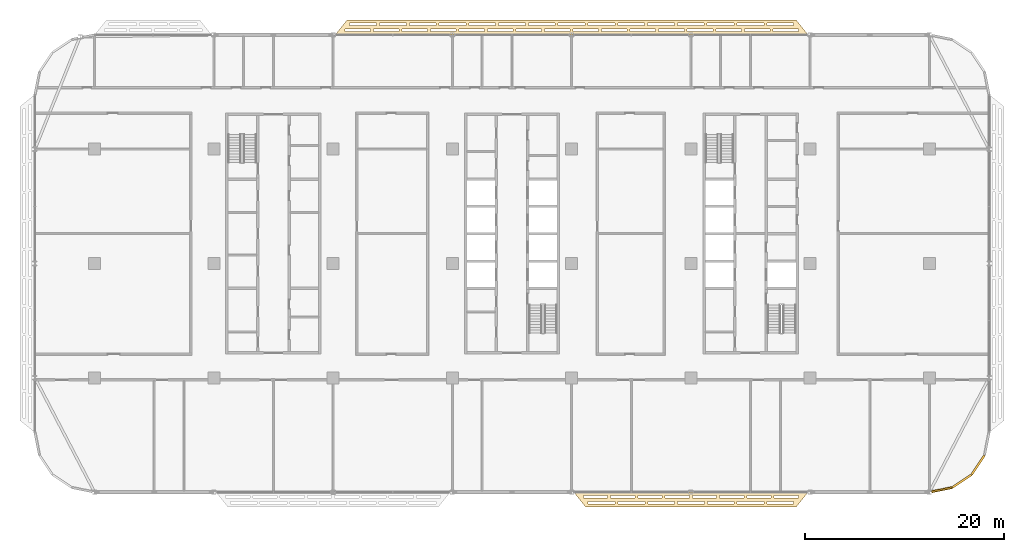
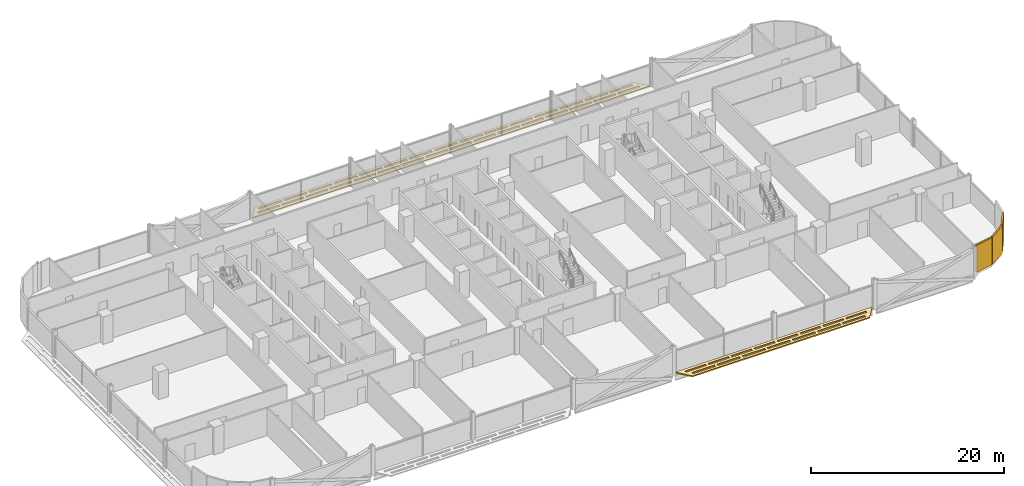
# One storey, part 25 of 27: 5 coverings.
"""IFC4 building model written with IfcOpenShell, lengths in metres."""

from ifc_helpers import new_model, si_unit, direction, frame, origin, origin_2d, place, context, subcontext, project, spatial, polyline, rectangle, outline, extrude, material, layer, layer_set, type_object, element, save


model = new_model("IFC4")

# Units and contexts
model_context = context("Model", 3, precision=1e-05, world=origin(), true_north=direction((0.0, 1.0)))
body_context = subcontext(model_context, "Body", "Model", "MODEL_VIEW")
ifc_project = project(units=[si_unit("LENGTHUNIT", "METRE"), si_unit("AREAUNIT", "SQUARE_METRE"), si_unit("VOLUMEUNIT", "CUBIC_METRE"), si_unit("PLANEANGLEUNIT", "RADIAN"), si_unit("MASSUNIT", "GRAM", prefix="KILO")], contexts=[model_context])

# Site, building, storey
site_placement = place(None, origin())
site = spatial("IfcSite", under=ifc_project, at=site_placement, CompositionType="ELEMENT")
building_placement = place(site_placement, origin())
building = spatial("IfcBuilding", under=site, at=building_placement, Name="Mahtab Terrace Research Tower", CompositionType="ELEMENT")
storey_placement = place(building_placement, frame((0.0, 0.0, 170.60009765625)))
storey = spatial("IfcBuildingStorey", under=building, at=storey_placement, Name="L40", CompositionType="ELEMENT", Elevation=170.60009765625)

# Coverings
ifc_material_1 = material(Name="Black aluminium cladding panel", Category="aluminium")
ifc_layer_1 = layer(ifc_material_1, 0.199951171875)
ifc_layer_set_1 = layer_set([ifc_layer_1], Name="Black metal corner cladding 200")
covering_type_1 = type_object("IfcCoveringType", Name="Black metal corner cladding 200", PredefinedType="CLADDING", material=ifc_layer_set_1)
covering_1_placement = place(storey_placement, frame((43.25830078125, -22.74951171875, 0.0), z_axis=(0.0, 0.0, 1.0), x_axis=(0.980760981187, 0.195212442692, 0.0)))
element("IfcCovering", 1, at=covering_1_placement, inside=storey, type_object=covering_type_1, Name="Corner cladding L40 30", PredefinedType="CLADDING", context=body_context, shape_type="SweptSolid", body=[
    extrude(rectangle(XDim=2.07666015625, YDim=0.199951171875, at=origin_2d()), origin(), (0.0, 0.0, 1.0), 3.4599609375),
])
for number, where, z_axis, x_axis, name in (
    (2, (45.26953125, -21.89306640625, 0.0), (0.0, 0.0, 1.0), (0.831655794326, 0.555291490808, 0.0), "Corner cladding L40 31"),
    (3, (46.89306640625, -20.26953125, 0.0), (0.0, 0.0, 1.0), (0.555291490808, 0.831655794326, 0.0), "Corner cladding L40 32"),
):
    element("IfcCovering", number, at=place(storey_placement, frame(where, z_axis=z_axis, x_axis=x_axis)), inside=storey, type_object=covering_type_1, Name=name, PredefinedType="CLADDING", context=body_context, shape_type="SweptSolid", body=[
        extrude(rectangle(XDim=2.30126953125, YDim=0.199951171875, at=origin_2d()), origin(), (0.0, 0.0, 1.0), 3.4599609375),
    ])
ifc_material_2 = material(Name="Black anodised aluminium", Category="aluminium")
ifc_layer_2 = layer(ifc_material_2, 0.14990234375)
ifc_layer_set_2 = layer_set([ifc_layer_2], Name="Horizontal sunshade band")
covering_type_2 = type_object("IfcCoveringType", Name="Horizontal sunshade band", PredefinedType="CLADDING", material=ifc_layer_set_2)
covering_2_placement = place(storey_placement, frame((0.0, 0.0, -0.150146484375)))
element("IfcCovering", 4, at=covering_2_placement, inside=storey, type_object=covering_type_2, Name="Sunshade band L40 4", PredefinedType="CLADDING", context=body_context, shape_type="SweptSolid", body=[
    extrude(outline(polyline([(29.7919921875, 23.0), (-17.7919921875, 23.0), (-16.592041015625, 24.5), (28.592041015625, 24.5), (29.7919921875, 23.0)]), holes=[polyline([(28.81201171875, 23.35009765625), (26.241943359375, 23.35009765625), (26.241943359375, 23.60009765625), (28.81201171875, 23.60009765625), (28.81201171875, 23.35009765625)]), polyline([(25.94189453125, 23.35009765625), (23.37109375, 23.35009765625), (23.37109375, 23.60009765625), (25.94189453125, 23.60009765625), (25.94189453125, 23.35009765625)]), polyline([(23.072021484375, 23.35009765625), (20.5009765625, 23.35009765625), (20.5009765625, 23.60009765625), (23.072021484375, 23.60009765625), (23.072021484375, 23.35009765625)]), polyline([(20.200927734375, 23.35009765625), (17.631103515625, 23.35009765625), (17.631103515625, 23.60009765625), (20.200927734375, 23.60009765625), (20.200927734375, 23.35009765625)]), polyline([(17.3310546875, 23.35009765625), (14.760986328125, 23.35009765625), (14.760986328125, 23.60009765625), (17.3310546875, 23.60009765625), (17.3310546875, 23.35009765625)]), polyline([(14.4609375, 23.35009765625), (11.889892578125, 23.35009765625), (11.889892578125, 23.60009765625), (14.4609375, 23.60009765625), (14.4609375, 23.35009765625)]), polyline([(11.590087890625, 23.35009765625), (9.02001953125, 23.35009765625), (9.02001953125, 23.60009765625), (11.590087890625, 23.60009765625), (11.590087890625, 23.35009765625)]), polyline([(8.719970703125, 23.35009765625), (6.14990234375, 23.35009765625), (6.14990234375, 23.60009765625), (8.719970703125, 23.60009765625), (8.719970703125, 23.35009765625)]), polyline([(5.85009765625, 23.35009765625), (3.280029296875, 23.35009765625), (3.280029296875, 23.60009765625), (5.85009765625, 23.60009765625), (5.85009765625, 23.35009765625)]), polyline([(2.97998046875, 23.35009765625), (0.408935546875, 23.35009765625), (0.408935546875, 23.60009765625), (2.97998046875, 23.60009765625), (2.97998046875, 23.35009765625)]), polyline([(0.10888671875, 23.35009765625), (-2.4609375, 23.35009765625), (-2.4609375, 23.60009765625), (0.10888671875, 23.60009765625), (0.10888671875, 23.35009765625)]), polyline([(-2.760986328125, 23.35009765625), (-5.3310546875, 23.35009765625), (-5.3310546875, 23.60009765625), (-2.760986328125, 23.60009765625), (-2.760986328125, 23.35009765625)]), polyline([(-5.631103515625, 23.35009765625), (-8.200927734375, 23.35009765625), (-8.200927734375, 23.60009765625), (-5.631103515625, 23.60009765625), (-5.631103515625, 23.35009765625)]), polyline([(-8.5009765625, 23.35009765625), (-11.072021484375, 23.35009765625), (-11.072021484375, 23.60009765625), (-8.5009765625, 23.60009765625), (-8.5009765625, 23.35009765625)]), polyline([(-11.3720703125, 23.35009765625), (-13.94189453125, 23.35009765625), (-13.94189453125, 23.60009765625), (-11.3720703125, 23.60009765625), (-11.3720703125, 23.35009765625)]), polyline([(-14.241943359375, 23.35009765625), (-16.81201171875, 23.35009765625), (-16.81201171875, 23.60009765625), (-14.241943359375, 23.60009765625), (-14.241943359375, 23.35009765625)]), polyline([(28.33203125, 23.949951171875), (25.634033203125, 23.949951171875), (25.634033203125, 24.199951171875), (28.33203125, 24.199951171875), (28.33203125, 23.949951171875)]), polyline([(25.333984375, 23.949951171875), (22.636962890625, 23.949951171875), (22.636962890625, 24.199951171875), (25.333984375, 24.199951171875), (25.333984375, 23.949951171875)]), polyline([(22.3369140625, 23.949951171875), (19.638916015625, 23.949951171875), (19.638916015625, 24.199951171875), (22.3369140625, 24.199951171875), (22.3369140625, 23.949951171875)]), polyline([(19.339111328125, 23.949951171875), (16.64208984375, 23.949951171875), (16.64208984375, 24.199951171875), (19.339111328125, 24.199951171875), (19.339111328125, 23.949951171875)]), polyline([(16.342041015625, 23.949951171875), (13.64404296875, 23.949951171875), (13.64404296875, 24.199951171875), (16.342041015625, 24.199951171875), (16.342041015625, 23.949951171875)]), polyline([(13.343994140625, 23.949951171875), (10.64599609375, 23.949951171875), (10.64599609375, 24.199951171875), (13.343994140625, 24.199951171875), (13.343994140625, 23.949951171875)]), polyline([(10.345947265625, 23.949951171875), (7.64892578125, 23.949951171875), (7.64892578125, 24.199951171875), (10.345947265625, 24.199951171875), (10.345947265625, 23.949951171875)]), polyline([(7.34912109375, 23.949951171875), (4.65087890625, 23.949951171875), (4.65087890625, 24.199951171875), (7.34912109375, 24.199951171875), (7.34912109375, 23.949951171875)]), polyline([(4.35107421875, 23.949951171875), (1.654052734375, 23.949951171875), (1.654052734375, 24.199951171875), (4.35107421875, 24.199951171875), (4.35107421875, 23.949951171875)]), polyline([(1.35400390625, 23.949951171875), (-1.343994140625, 23.949951171875), (-1.343994140625, 24.199951171875), (1.35400390625, 24.199951171875), (1.35400390625, 23.949951171875)]), polyline([(-1.64404296875, 23.949951171875), (-4.342041015625, 23.949951171875), (-4.342041015625, 24.199951171875), (-1.64404296875, 24.199951171875), (-1.64404296875, 23.949951171875)]), polyline([(-4.64208984375, 23.949951171875), (-7.339111328125, 23.949951171875), (-7.339111328125, 24.199951171875), (-4.64208984375, 24.199951171875), (-4.64208984375, 23.949951171875)]), polyline([(-7.638916015625, 23.949951171875), (-10.3369140625, 23.949951171875), (-10.3369140625, 24.199951171875), (-7.638916015625, 24.199951171875), (-7.638916015625, 23.949951171875)]), polyline([(-10.636962890625, 23.949951171875), (-13.333984375, 23.949951171875), (-13.333984375, 24.199951171875), (-10.636962890625, 24.199951171875), (-10.636962890625, 23.949951171875)]), polyline([(-13.634033203125, 23.949951171875), (-16.33203125, 23.949951171875), (-16.33203125, 24.199951171875), (-13.634033203125, 24.199951171875), (-13.634033203125, 23.949951171875)])]), origin(), (0.0, 0.0, 1.0), 0.150146484375),
])
covering_3_placement = place(storey_placement, frame((0.0, 0.0, -0.150146484375)))
element("IfcCovering", 5, at=covering_3_placement, inside=storey, type_object=covering_type_2, Name="Sunshade band L40 27", PredefinedType="CLADDING", context=body_context, shape_type="SweptSolid", body=[
    extrude(outline(polyline([(6.2080078125, -23.0), (29.7919921875, -23.0), (28.592041015625, -24.5), (7.407958984375, -24.5), (6.2080078125, -23.0)]), holes=[polyline([(7.18798828125, -23.35009765625), (9.6279296875, -23.35009765625), (9.6279296875, -23.60009765625), (7.18798828125, -23.60009765625), (7.18798828125, -23.35009765625)]), polyline([(9.927978515625, -23.35009765625), (12.368896484375, -23.35009765625), (12.368896484375, -23.60009765625), (9.927978515625, -23.60009765625), (9.927978515625, -23.35009765625)]), polyline([(12.6689453125, -23.35009765625), (15.10888671875, -23.35009765625), (15.10888671875, -23.60009765625), (12.6689453125, -23.60009765625), (12.6689453125, -23.35009765625)]), polyline([(15.408935546875, -23.35009765625), (17.85009765625, -23.35009765625), (17.85009765625, -23.60009765625), (15.408935546875, -23.60009765625), (15.408935546875, -23.35009765625)]), polyline([(18.14990234375, -23.35009765625), (20.590087890625, -23.35009765625), (20.590087890625, -23.60009765625), (18.14990234375, -23.60009765625), (18.14990234375, -23.35009765625)]), polyline([(20.889892578125, -23.35009765625), (23.3310546875, -23.35009765625), (23.3310546875, -23.60009765625), (20.889892578125, -23.60009765625), (20.889892578125, -23.35009765625)]), polyline([(23.631103515625, -23.35009765625), (26.072021484375, -23.35009765625), (26.072021484375, -23.60009765625), (23.631103515625, -23.60009765625), (23.631103515625, -23.35009765625)]), polyline([(26.37109375, -23.35009765625), (28.81201171875, -23.35009765625), (28.81201171875, -23.60009765625), (26.37109375, -23.60009765625), (26.37109375, -23.35009765625)]), polyline([(7.66796875, -23.949951171875), (10.363037109375, -23.949951171875), (10.363037109375, -24.199951171875), (7.66796875, -24.199951171875), (7.66796875, -23.949951171875)]), polyline([(10.6630859375, -23.949951171875), (13.35791015625, -23.949951171875), (13.35791015625, -24.199951171875), (10.6630859375, -24.199951171875), (10.6630859375, -23.949951171875)]), polyline([(13.657958984375, -23.949951171875), (16.35302734375, -23.949951171875), (16.35302734375, -24.199951171875), (13.657958984375, -24.199951171875), (13.657958984375, -23.949951171875)]), polyline([(16.653076171875, -23.949951171875), (19.346923828125, -23.949951171875), (19.346923828125, -24.199951171875), (16.653076171875, -24.199951171875), (16.653076171875, -23.949951171875)]), polyline([(19.64697265625, -23.949951171875), (22.342041015625, -23.949951171875), (22.342041015625, -24.199951171875), (19.64697265625, -24.199951171875), (19.64697265625, -23.949951171875)]), polyline([(22.64208984375, -23.949951171875), (25.3369140625, -23.949951171875), (25.3369140625, -24.199951171875), (22.64208984375, -24.199951171875), (22.64208984375, -23.949951171875)]), polyline([(25.636962890625, -23.949951171875), (28.33203125, -23.949951171875), (28.33203125, -24.199951171875), (25.636962890625, -24.199951171875), (25.636962890625, -23.949951171875)])]), origin(), (0.0, 0.0, 1.0), 0.150146484375),
])

save(model, "model.ifc")
